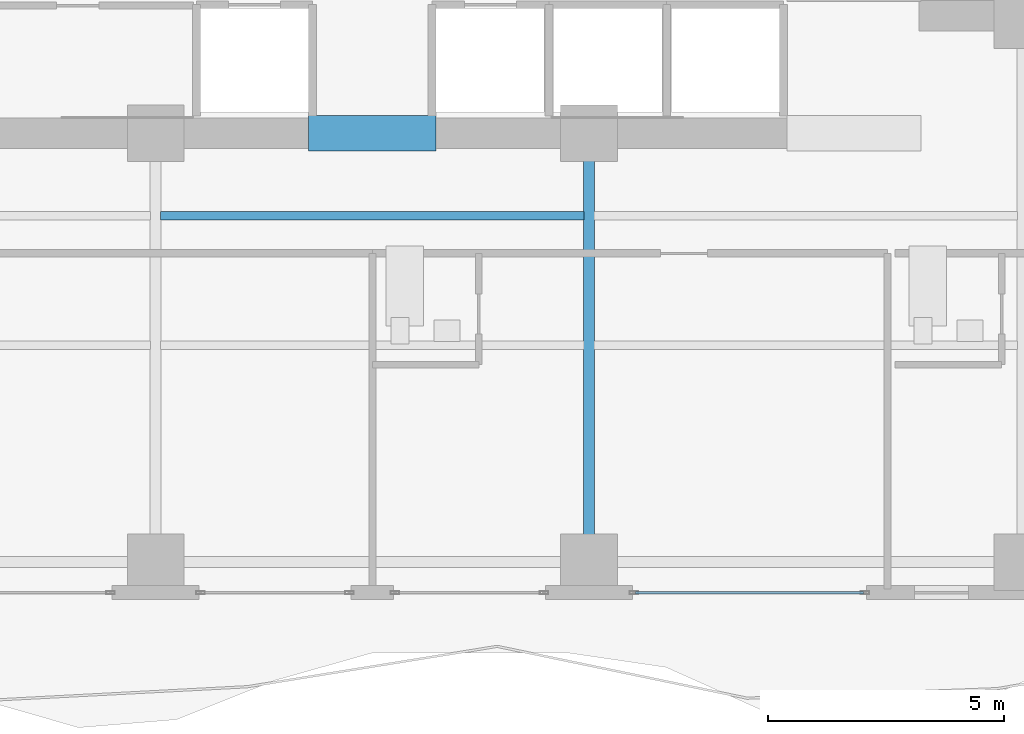
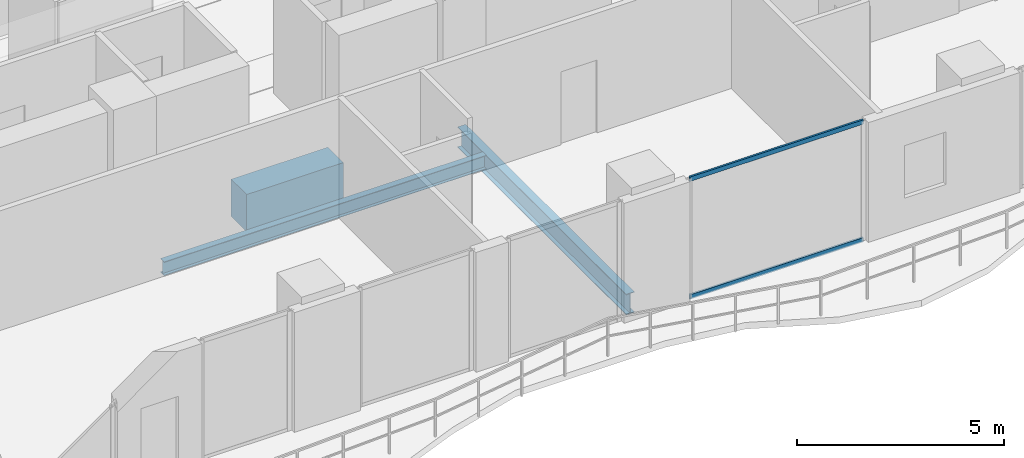
# One storey, part 7 of 33: 3 beams, 2 members, 1 element without a shape of its own.
"""IFC4 building model written with IfcOpenShell, lengths in metres."""

import ifcopenshell
import ifcopenshell.guid

model = None  # the IFC model being written
_history = None  # IfcOwnerHistory: only IFC2X3 demands one
_inside = {}  # id of a spatial element -> (the spatial element, [elements in it])
_under = {}  # id of a project, library or spatial element -> (it, [spatial elements below it])
_declared = {}  # id of a project -> (the project, [libraries it declares])
_typed = {}  # id of a type object -> (the type object, [elements of that type])
_made_of = {}  # id of a material, layer set ... -> (it, [elements and type objects made of it])


def new_model(schema):
    """Start an empty IFC model of exactly this schema.

    Asked for "IFC4X3", IfcOpenShell would pick the latest addendum, in which some entities
    have other attributes; the version numbers below select the first issue.
    IFC2X3 requires an IfcOwnerHistory on every rooted entity: one is made here for all.
    """
    global model, _history
    if schema == "IFC4X3":
        model = ifcopenshell.file(schema_version=(4, 3, 0, 0))
    else:
        model = ifcopenshell.file(schema=schema)
    _inside.clear()
    _under.clear()
    _declared.clear()
    _typed.clear()
    _made_of.clear()
    _history = None
    if model.schema == "IFC2X3":
        org = make("IfcOrganization", Name="unknown")
        user = make(
            "IfcPersonAndOrganization",
            ThePerson=make("IfcPerson", FamilyName="unknown"),
            TheOrganization=org,
        )
        app = make(
            "IfcApplication",
            ApplicationDeveloper=org,
            Version="unknown",
            ApplicationFullName="unknown",
            ApplicationIdentifier="unknown",
        )
        _history = make(
            "IfcOwnerHistory",
            OwningUser=user,
            OwningApplication=app,
            ChangeAction="ADDED",
            CreationDate=0,
        )
    return model


def make(cls, **values):
    """One entity of the class cls with the attributes given. An attribute that is None is left unset."""
    return model.create_entity(
        cls, **{name: value for name, value in values.items() if value is not None}
    )


def rooted(cls, **values):
    """An entity with a GlobalId (a new one), such as an element, a storey or a relation."""
    return make(cls, GlobalId=ifcopenshell.guid.new(), OwnerHistory=_history, **values)


def si_unit(unit_type, name, prefix=None):
    """IfcSIUnit, for example si_unit("LENGTHUNIT", "METRE", prefix="MILLI")."""
    return make("IfcSIUnit", UnitType=unit_type, Prefix=prefix, Name=name)


def assignment(units):
    """IfcUnitAssignment: the units of a project."""
    return None if units is None else make("IfcUnitAssignment", Units=units)


def point(xyz):
    """IfcCartesianPoint."""
    return None if xyz is None else make("IfcCartesianPoint", Coordinates=xyz)


def direction(xyz):
    """IfcDirection."""
    return None if xyz is None else make("IfcDirection", DirectionRatios=xyz)


def frame(location, z_axis=None, x_axis=None):
    """IfcAxis2Placement3D, a coordinate frame: its origin and axes. An axis left out is left unset."""
    return make(
        "IfcAxis2Placement3D",
        Location=point(location),
        Axis=direction(z_axis),
        RefDirection=direction(x_axis),
    )


def frame_2d(location, x_axis=None):
    """IfcAxis2Placement2D, a coordinate frame in the plane: its origin and x axis."""
    return make(
        "IfcAxis2Placement2D", Location=point(location), RefDirection=direction(x_axis)
    )


def origin():
    """The frame at (0, 0, 0) with its axes left unset."""
    return frame((0.0, 0.0, 0.0))


def origin_2d():
    """The frame at (0, 0) in the plane with its x axis left unset."""
    return frame_2d((0.0, 0.0))


def place(relative_to, where):
    """IfcLocalPlacement: puts the frame where relative to a parent placement (None: the world)."""
    return make(
        "IfcLocalPlacement", PlacementRelTo=relative_to, RelativePlacement=where
    )


def context(
    kind, dimensions, precision=None, world=None, true_north=None, identifier=None
):
    """IfcGeometricRepresentationContext, for example the 3D "Model" context."""
    return make(
        "IfcGeometricRepresentationContext",
        ContextIdentifier=identifier,
        ContextType=kind,
        CoordinateSpaceDimension=dimensions,
        Precision=precision,
        WorldCoordinateSystem=world,
        TrueNorth=true_north,
    )


def subcontext(parent, identifier, kind, view, scale=None):
    """IfcGeometricRepresentationSubContext, for example "Body" below "Model"."""
    return make(
        "IfcGeometricRepresentationSubContext",
        ContextIdentifier=identifier,
        ContextType=kind,
        ParentContext=parent,
        TargetScale=scale,
        TargetView=view,
    )


def project(units=None, contexts=None):
    """IfcProject with its units and contexts."""
    return rooted(
        "IfcProject",
        Name="project",
        RepresentationContexts=contexts,
        UnitsInContext=assignment(units),
    )


def spatial(cls, under=None, at=None, **own):
    """A site, building, storey or space (cls), placed at a placement, below another one or the project."""
    s = rooted(cls, ObjectPlacement=at, **own)
    if under is not None:
        _under.setdefault(under.id(), (under, []))[1].append(s)
    return s


def profile(cls, at=None, kind="AREA", **sizes):
    """A parametric profile (cls). Its sizes go by their IFC names, for example OverallWidth=200.0."""
    return make(cls, ProfileType=kind, Position=at, **sizes)


def rectangle(**sizes):
    """IfcRectangleProfileDef."""
    return profile("IfcRectangleProfileDef", **sizes)


def hollow_rectangle(**sizes):
    """IfcRectangleHollowProfileDef."""
    return profile("IfcRectangleHollowProfileDef", **sizes)


def i_section(**sizes):
    """IfcIShapeProfileDef."""
    return profile("IfcIShapeProfileDef", **sizes)


def extrude(swept, where, along, depth):
    """IfcExtrudedAreaSolid: the profile swept, set in the frame where, extruded along a direction by depth."""
    return make(
        "IfcExtrudedAreaSolid",
        SweptArea=swept,
        Position=where,
        ExtrudedDirection=direction(along),
        Depth=depth,
    )


def shape(context_of_items, identifier, shape_type, items):
    """IfcShapeRepresentation: the items that make up one representation, for example the "Body"."""
    return make(
        "IfcShapeRepresentation",
        ContextOfItems=context_of_items,
        RepresentationIdentifier=identifier,
        RepresentationType=shape_type,
        Items=items,
    )


def material(Name=None, Category=None):
    """IfcMaterial."""
    return make("IfcMaterial", Name=Name, Category=Category)


def layer(
    of_material, thickness, ventilated=None, Name=None, Category=None, Priority=None
):
    """IfcMaterialLayer: one layer of a wall or slab, of a material (None: an air gap)."""
    return make(
        "IfcMaterialLayer",
        Material=of_material,
        LayerThickness=thickness,
        IsVentilated=ventilated,
        Name=Name,
        Category=Category,
        Priority=Priority,
    )


def layer_set(layers, Name=None):
    """IfcMaterialLayerSet."""
    return make("IfcMaterialLayerSet", MaterialLayers=layers, LayerSetName=Name)


def material_profile(
    of_material, cross_section, Name=None, Category=None, Priority=None
):
    """IfcMaterialProfile: a cross section and its material."""
    return make(
        "IfcMaterialProfile",
        Name=Name,
        Material=of_material,
        Profile=cross_section,
        Priority=Priority,
        Category=Category,
    )


def profile_set(profiles, Name=None, composite=None):
    """IfcMaterialProfileSet."""
    return make(
        "IfcMaterialProfileSet",
        Name=Name,
        MaterialProfiles=profiles,
        CompositeProfile=composite,
    )


def made_of(thing, what):
    """Note that an element or type object is made of a material, layer set ...; save() writes the relation."""
    if what is not None:
        _made_of.setdefault(what.id(), (what, []))[1].append(thing)
    return thing


def type_object(cls, material=None, **own):
    """A type object (cls), such as IfcWallType, which elements share."""
    return made_of(rooted(cls, **own), material)


def element(
    cls,
    number,
    at=None,
    inside=None,
    cuts=None,
    type_object=None,
    material=None,
    context=None,
    identifier="Body",
    shape_type=None,
    held_by="IfcProductDefinitionShape",
    body=None,
    shapes=None,
    **own,
):
    """One element of the class cls, such as IfcWall. Its Tag is "e" and its number.

    at: its placement. inside: the storey or other place that contains it. cuts: it is an
    opening in that element (IfcRelVoidsElement). A single representation is given by context,
    identifier, shape_type and body (its items); several are given by shapes. held_by: the class
    of the entity that holds the representations. save() writes the other relations.
    """
    e = rooted(cls, Tag="e%d" % number, ObjectPlacement=at, **own)
    if body is not None:
        shapes = [shape(context, identifier, shape_type, body)]
    if shapes is not None:
        e.Representation = make(held_by, Representations=shapes)
    if inside is not None:
        _inside.setdefault(inside.id(), (inside, []))[1].append(e)
    if cuts is not None:
        rooted(
            "IfcRelVoidsElement", RelatingBuildingElement=cuts, RelatedOpeningElement=e
        )
    if type_object is not None:
        _typed.setdefault(type_object.id(), (type_object, []))[1].append(e)
    return made_of(e, material)


def aggregate(whole, parts):
    """IfcRelAggregates: a whole, such as a stair, and the parts it consists of."""
    return rooted("IfcRelAggregates", RelatingObject=whole, RelatedObjects=parts)


def save(model, path):
    """Write the relations noted so far, then the file.

    IfcRelAggregates (storeys below a building ...), IfcRelContainedInSpatialStructure (elements
    in a storey), IfcRelDefinesByType, IfcRelAssociatesMaterial and IfcRelDeclares: one each for
    every whole, place, type object, material and project.
    """
    for whole, parts in _under.values():
        aggregate(whole, parts)
    for where, things in _inside.values():
        rooted(
            "IfcRelContainedInSpatialStructure",
            RelatedElements=things,
            RelatingStructure=where,
        )
    for kind, things in _typed.values():
        rooted("IfcRelDefinesByType", RelatedObjects=things, RelatingType=kind)
    for what, things in _made_of.values():
        rooted("IfcRelAssociatesMaterial", RelatedObjects=things, RelatingMaterial=what)
    for by, libraries in _declared.values():
        rooted("IfcRelDeclares", RelatingContext=by, RelatedDefinitions=libraries)
    model.write(path)


model = new_model("IFC4")

# Units and contexts
model_context = context("Model", 3, precision=1e-05, world=origin(), true_north=direction((0.0, 1.0)))
body_context = subcontext(model_context, "Body", "Model", "MODEL_VIEW")
ifc_project = project(units=[si_unit("LENGTHUNIT", "METRE"), si_unit("AREAUNIT", "SQUARE_METRE"), si_unit("VOLUMEUNIT", "CUBIC_METRE"), si_unit("PLANEANGLEUNIT", "RADIAN"), si_unit("MASSUNIT", "GRAM", prefix="KILO")], contexts=[model_context])

# Site, building, storey
site_placement = place(None, origin())
site = spatial("IfcSite", under=ifc_project, at=site_placement, CompositionType="ELEMENT")
building_placement = place(site_placement, origin())
building = spatial("IfcBuilding", under=site, at=building_placement, Name="Zuhayl Quay Hotel", CompositionType="ELEMENT")
storey_placement = place(building_placement, frame((0.0, 0.0, 211.14990234375)))
storey = spatial("IfcBuildingStorey", under=building, at=storey_placement, Name="L53", CompositionType="ELEMENT", Elevation=211.14990234375)

# Beams
ifc_material_1 = material(Name="Steel ASTM A992 Grade 50", Category="steel")
ifc_material_profile_1 = material_profile(ifc_material_1, i_section(OverallWidth=0.22802734375, OverallDepth=0.60693359375, WebThickness=0.01123046875, FlangeThickness=0.017333984375, at=origin_2d()), Name="W24X76")
ifc_profile_set_1 = profile_set([ifc_material_profile_1], Name="Steel ASTM A992 Grade 50")
beam_type_1 = type_object("IfcBeamType", Name="BM_B3_W24X76", PredefinedType="BEAM", material=ifc_profile_set_1)
beam_1_placement = place(storey_placement, frame((4.60009765625, -6.449951171875, -0.5234375), z_axis=(0.0, 1.0, 0.0), x_axis=(-1.0, 0.0, 0.0)))
element("IfcBeam", 1, at=beam_1_placement, inside=storey, type_object=beam_type_1, Name="L53 Floor Beam FG_S_L53_3", PredefinedType="BEAM", context=body_context, shape_type="SweptSolid", body=[
    extrude(i_section(OverallWidth=0.22802734375, OverallDepth=0.60693359375, WebThickness=0.01123046875, FlangeThickness=0.017333984375, at=origin_2d()), origin(), (0.0, 0.0, 1.0), 8.14990234375),
])
ifc_material_2 = material(Name="Concrete C60/75", Category="concrete")
ifc_material_profile_2 = material_profile(ifc_material_2, rectangle(XDim=0.75, YDim=1.10009765625, at=origin_2d()), Name="RC750X1100")
ifc_profile_set_2 = profile_set([ifc_material_profile_2], Name="Concrete C60/75")
beam_type_2 = type_object("IfcBeamType", Name="BM_CB2_RC750", PredefinedType="T_BEAM", material=ifc_profile_set_2)
beam_2_placement = place(storey_placement, frame((-1.35009765625, 2.14990234375, -0.77001953125), z_axis=(1.0, 0.0, 0.0), x_axis=(0.0, 1.0, 0.0)))
element("IfcBeam", 2, at=beam_2_placement, inside=storey, type_object=beam_type_2, Name="L53 Core Coupling Beam South", PredefinedType="T_BEAM", context=body_context, shape_type="SweptSolid", body=[
    extrude(rectangle(XDim=0.75, YDim=1.10009765625, at=origin_2d()), origin(), (0.0, 0.0, 1.0), 2.7001953125),
])
ifc_material_profile_3 = material_profile(ifc_material_1, i_section(OverallWidth=0.177978515625, OverallDepth=0.406005859375, WebThickness=0.0078125, FlangeThickness=0.0126953125, at=origin_2d()), Name="W16X40")
ifc_profile_set_3 = profile_set([ifc_material_profile_3], Name="Steel ASTM A992 Grade 50")
beam_type_3 = type_object("IfcBeamType", Name="BM_J2B_W16X40", PredefinedType="JOIST", material=ifc_profile_set_3)
beam_3_placement = place(storey_placement, frame((-4.493896484375, 0.39990234375, -0.4228515625), z_axis=(1.0, 0.0, 0.0), x_axis=(0.0, 1.0, 0.0)))
element("IfcBeam", 3, at=beam_3_placement, inside=storey, type_object=beam_type_3, Name="L53 Floor Beam FJ_L53_8_2", PredefinedType="JOIST", context=body_context, shape_type="SweptSolid", body=[
    extrude(i_section(OverallWidth=0.177978515625, OverallDepth=0.406005859375, WebThickness=0.0078125, FlangeThickness=0.0126953125, at=origin_2d()), origin(), (0.0, 0.0, 1.0), 8.98779296875),
])

# Curtain wall, members
ifc_material_3 = material(Name="Anodised Aluminium 6063-T6", Category="aluminium")
ifc_layer = layer(ifc_material_3, 0.175048828125, Name="Anodised Aluminium 6063-T6", Category="aluminium")
ifc_layer_set = layer_set([ifc_layer], Name="Anodised Aluminium 6063-T6")
curtain_wall_type = type_object("IfcCurtainWallType", Name="CW_SYS_Z3", PredefinedType="USERDEFINED", material=ifc_layer_set)
curtain_wall_placement = place(storey_placement, origin())
curtain_wall = element("IfcCurtainWall", 4, at=curtain_wall_placement, inside=storey, type_object=curtain_wall_type, Name="L53 Curtain Wall ENV_L53_S_CW2", ObjectType="UNITISED CURTAIN WALL", PredefinedType="USERDEFINED")
ifc_material_4 = material(Name="Black-anodised aluminium 6063-T6", Category="aluminium")
ifc_material_profile_4 = material_profile(ifc_material_4, hollow_rectangle(XDim=0.054931640625, YDim=0.1298828125, WallThickness=0.0029296875, at=origin_2d()), Name="ALU130X55")
ifc_profile_set_4 = profile_set([ifc_material_profile_4], Name="Black-anodised aluminium 6063-T6")
member_type = type_object("IfcMemberType", Name="MB_CW_TRN_130", PredefinedType="USERDEFINED", material=ifc_profile_set_4)
member_1_placement = place(storey_placement, frame((10.425048828125, -7.60009765625, 0.027587890625), z_axis=(-1.0, 0.0, 0.0), x_axis=(0.0, -1.0, 0.0)))
member_1 = element("IfcMember", 5, at=member_1_placement, type_object=member_type, Name="CW-Z3 transom 1.1", ObjectType="TRANSOM", PredefinedType="USERDEFINED", context=body_context, shape_type="SweptSolid", body=[
    extrude(hollow_rectangle(XDim=0.054931640625, YDim=0.1298828125, WallThickness=0.0029296875, at=origin_2d()), origin(), (0.0, 0.0, 1.0), 4.840087890625),
])
member_2_placement = place(storey_placement, frame((10.425048828125, -7.60009765625, 3.502685546875), z_axis=(-1.0, 0.0, 0.0), x_axis=(0.0, -1.0, 0.0)))
member_2 = element("IfcMember", 6, at=member_2_placement, type_object=member_type, Name="CW-Z3 transom 1.2", ObjectType="TRANSOM", PredefinedType="USERDEFINED", context=body_context, shape_type="SweptSolid", body=[
    extrude(hollow_rectangle(XDim=0.054931640625, YDim=0.1298828125, WallThickness=0.0029296875, at=origin_2d()), origin(), (0.0, 0.0, 1.0), 4.840087890625),
])
aggregate(curtain_wall, [member_1, member_2])

save(model, "model.ifc")
